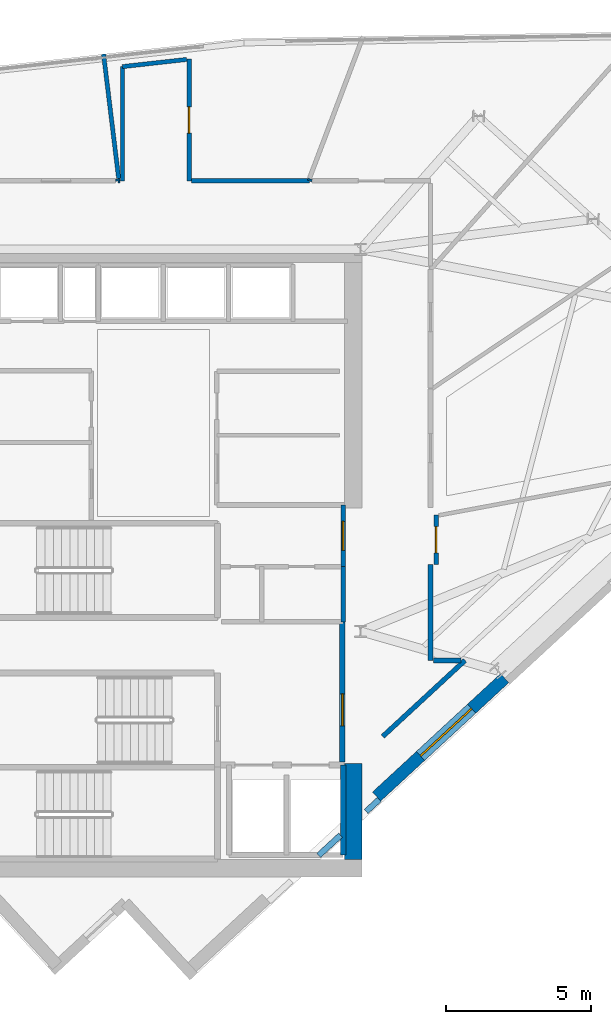
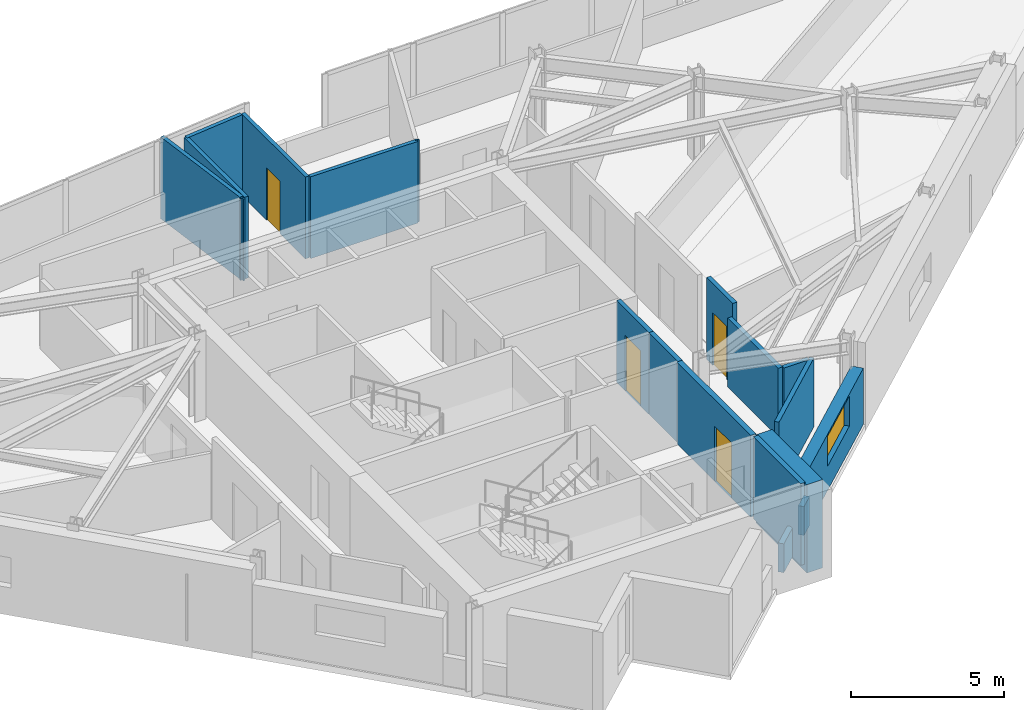
# One storey, part 11 of 14: 20 walls, 4 doors, 1 window, 5 openings.
"""IFC4 building model written with IfcOpenShell, lengths in metres."""

from ifc_helpers import new_model, si_unit, direction, frame, frame_2d, origin, place, context, subcontext, project, spatial, rectangle, extrude, material, layer, layer_set, type_object, element, fill, save


model = new_model("IFC4")

# Units and contexts
model_context = context("Model", 3, precision=1e-05, world=origin(), true_north=direction((0.0, 1.0)))
body_context = subcontext(model_context, "Body", "Model", "MODEL_VIEW")
ifc_project = project(units=[si_unit("LENGTHUNIT", "METRE"), si_unit("AREAUNIT", "SQUARE_METRE"), si_unit("VOLUMEUNIT", "CUBIC_METRE"), si_unit("PLANEANGLEUNIT", "RADIAN"), si_unit("MASSUNIT", "GRAM", prefix="KILO")], contexts=[model_context])

# Site, building, storey
site_placement = place(None, origin())
site = spatial("IfcSite", under=ifc_project, at=site_placement, CompositionType="ELEMENT")
building_placement = place(site_placement, origin())
building = spatial("IfcBuilding", under=site, at=building_placement, Name="Narakoshi Arena Tower", CompositionType="ELEMENT")
storey_placement = place(building_placement, frame((0.0, 0.0, 288.89990234375)))
storey = spatial("IfcBuildingStorey", under=building, at=storey_placement, Name="L79", CompositionType="ELEMENT", Elevation=288.89990234375)

# Wall
ifc_material_1 = material(Name="Concrete C50/60", Category="concrete")
ifc_layer_1 = layer(ifc_material_1, 0.60009765625)
ifc_layer_set_1 = layer_set([ifc_layer_1], Name="Concrete C50/60")
wall_type_1 = type_object("IfcWallType", Name="WL-CORE-600", PredefinedType="SHEAR", material=ifc_layer_set_1)
wall_1_placement = place(storey_placement, frame((85.300048828125, 35.5, -0.260009765625), z_axis=(0.0, 0.0, 1.0), x_axis=(0.0, 1.0, 0.0)))
element("IfcWall", 1, at=wall_1_placement, inside=storey, type_object=wall_type_1, Name="L79 Central Core Shear Wall CW-APX-E", PredefinedType="SHEAR", context=body_context, shape_type="SweptSolid", body=[
    extrude(rectangle(XDim=3.300048828125, YDim=0.60009765625, at=frame_2d((1.64990234375, 0.0))), origin(), (0.0, 0.0, 1.0), 3.52001953125),
])

# Wall, opening, door
ifc_material_2 = material(Name="Gypsum plasterboard fire-rated partition")
ifc_layer_2 = layer(ifc_material_2, 0.1650390625)
ifc_layer_set_2 = layer_set([ifc_layer_2], Name="Gypsum plasterboard fire-rated partition")
wall_type_2 = type_object("IfcWallType", Name="WL-CORR-165", PredefinedType="PARTITIONING", material=ifc_layer_set_2)
wall_2_placement = place(storey_placement, frame((84.949951171875, 45.580078125, 0.0), z_axis=(0.0, 0.0, 1.0), x_axis=(0.0, 1.0, 0.0)))
wall_2 = element("IfcWall", 2, at=wall_2_placement, inside=storey, type_object=wall_type_2, Name="L79 Core Wall CPAS-E", PredefinedType="PARTITIONING", context=body_context, shape_type="SweptSolid", body=[
    extrude(rectangle(XDim=2.119873046875, YDim=0.1650390625, at=frame_2d((1.06005859375, 0.0))), origin(), (0.0, 0.0, 1.0), 3.260009765625),
])
opening_1_placement = place(wall_2_placement, frame((0.56005859375, 0.0, 0.0)))
opening_1 = element("IfcOpeningElement", 3, at=opening_1_placement, cuts=wall_2, Name="Opening D-06", PredefinedType="OPENING", context=body_context, shape_type="SweptSolid", body=[
    extrude(rectangle(XDim=1.0, YDim=2.199951171875, at=frame_2d((0.5, 1.10009765625))), frame((0.0, 0.092529296875, 0.0), z_axis=(0.0, -1.0, 0.0), x_axis=(1.0, 0.0, 0.0)), (0.0, 0.0, 1.0), 0.18505859375),
])
ifc_material_3 = material(Name="Stained oak solid-core timber", Category="wood")
door_type_1 = type_object("IfcDoorType", Name="DR-OFF-1000", OperationType="NOTDEFINED", PredefinedType="DOOR", material=ifc_material_3)
door_1_placement = place(opening_1_placement, frame((1.0, 0.0, 0.0), z_axis=(0.0, 0.0, 1.0), x_axis=(-1.0, 0.0, 0.0)))
door_1 = element("IfcDoor", 4, at=door_1_placement, inside=storey, type_object=door_type_1, Name="DR-L79-007", OperationType="SINGLE_SWING_LEFT", OverallHeight=2.199951171875, OverallWidth=1.0, PredefinedType="DOOR", context=body_context, shape_type="SweptSolid", body=[
    extrude(rectangle(XDim=1.0, YDim=2.199951171875, at=frame_2d((0.5, 1.10009765625))), frame((0.0, 0.02490234375, 0.0), z_axis=(0.0, -1.0, 0.0), x_axis=(1.0, 0.0, 0.0)), (0.0, 0.0, 1.0), 0.050048828125),
])
fill(opening_1, door_1)

# Walls
wall_3_placement = place(storey_placement, frame((86.313232421875, 39.734619140625, 0.0), z_axis=(0.0, 0.0, 1.0), x_axis=(0.734314973722, 0.678808897531, 0.0)))
element("IfcWall", 5, at=wall_3_placement, inside=storey, type_object=wall_type_2, Name="L79 Corridor Partition 02-1", PredefinedType="PARTITIONING", context=body_context, shape_type="SweptSolid", body=[
    extrude(rectangle(XDim=3.85302734375, YDim=0.1650390625, at=frame_2d((1.926513671875, 0.0))), origin(), (0.0, 0.0, 1.0), 2.7451171875),
])
wall_4_placement = place(storey_placement, frame((87.95849609375, 42.35009765625, 0.0), z_axis=(0.0, 0.0, 1.0), x_axis=(0.0, 1.0, 0.0)))
element("IfcWall", 6, at=wall_4_placement, inside=storey, type_object=wall_type_2, Name="L79 Corridor Partition 02-2", PredefinedType="PARTITIONING", context=body_context, shape_type="SweptSolid", body=[
    extrude(rectangle(XDim=3.2998046875, YDim=0.1650390625, at=frame_2d((1.64990234375, 0.0))), origin(), (0.0, 0.0, 1.0), 2.7451171875),
])

# Wall, opening, door
wall_5_placement = place(storey_placement, frame((88.14990234375, 45.64990234375, 0.0), z_axis=(0.0, 0.0, 1.0), x_axis=(0.0, 1.0, 0.0)))
wall_5 = element("IfcWall", 7, at=wall_5_placement, inside=storey, type_object=wall_type_2, Name="L79 Corridor Partition 02-3", PredefinedType="PARTITIONING", context=body_context, shape_type="SweptSolid", body=[
    extrude(rectangle(XDim=1.712890625, YDim=0.1650390625, at=frame_2d((0.8564453125, 0.0))), origin(), (0.0, 0.0, 1.0), 3.260009765625),
])
opening_2_placement = place(wall_5_placement, frame((0.406494140625, 0.0, 0.0)))
opening_2 = element("IfcOpeningElement", 8, at=opening_2_placement, cuts=wall_5, Name="Opening D-08", PredefinedType="OPENING", context=body_context, shape_type="SweptSolid", body=[
    extrude(rectangle(XDim=0.89990234375, YDim=2.10009765625, at=frame_2d((0.449951171875, 1.050048828125))), frame((0.0, 0.092529296875, 0.0), z_axis=(0.0, -1.0, 0.0), x_axis=(1.0, 0.0, 0.0)), (0.0, 0.0, 1.0), 0.18505859375),
])
ifc_material_4 = material(Name="Moisture-resistant laminate timber", Category="wood")
door_type_2 = type_object("IfcDoorType", Name="DR-WC-900", OperationType="NOTDEFINED", PredefinedType="DOOR", material=ifc_material_4)
door_2_placement = place(opening_2_placement, frame((0.89990234375, 0.0, 0.0), z_axis=(0.0, 0.0, 1.0), x_axis=(-1.0, 0.0, 0.0)))
door_2 = element("IfcDoor", 9, at=door_2_placement, inside=storey, type_object=door_type_2, Name="DR-L79-017", OperationType="SINGLE_SWING_RIGHT", OverallHeight=2.10009765625, OverallWidth=0.89990234375, PredefinedType="DOOR", context=body_context, shape_type="SweptSolid", body=[
    extrude(rectangle(XDim=0.89990234375, YDim=2.10009765625, at=frame_2d((0.449951171875, 1.050048828125))), frame((0.0, 0.02490234375, 0.0), z_axis=(0.0, -1.0, 0.0), x_axis=(1.0, 0.0, 0.0)), (0.0, 0.0, 1.0), 0.050048828125),
])
fill(opening_2, door_2)

# Walls
wall_6_placement = place(storey_placement, frame((89.00341796875, 42.35009765625, 0.0), z_axis=(0.0, 0.0, 1.0), x_axis=(-1.0, 0.0, 0.0)))
element("IfcWall", 10, at=wall_6_placement, inside=storey, type_object=wall_type_2, Name="L79 Corridor Partition 02-4", PredefinedType="PARTITIONING", context=body_context, shape_type="SweptSolid", body=[
    extrude(rectangle(XDim=0.950439453125, YDim=0.1650390625, at=frame_2d((0.47509765625, 0.0))), origin(), (0.0, 0.0, 1.0), 2.7451171875),
])
ifc_material_5 = material(Name="Precast concrete C45/55", Category="concrete")
ifc_layer_3 = layer(ifc_material_5, 0.25)
ifc_layer_set_3 = layer_set([ifc_layer_3], Name="Precast concrete C45/55")
wall_type_3 = type_object("IfcWallType", Name="WL-PARA-250", PredefinedType="PARAPET", material=ifc_layer_set_3)
wall_7_placement = place(storey_placement, frame((86.191650390625, 37.56591796875, 0.0), z_axis=(0.0, 0.0, 1.0), x_axis=(-0.734346728958, -0.678774544064, 0.0)))
element("IfcWall", 11, at=wall_7_placement, inside=storey, type_object=wall_type_3, Name="L79 Crown Sill Upstand Parapet 03", PredefinedType="PARAPET", context=body_context, shape_type="SweptSolid", body=[
    extrude(rectangle(XDim=0.614990234375, YDim=0.199951171875, at=frame_2d((0.3076171875, 0.0))), origin(), (0.0, 0.0, 1.0), 1.150146484375),
])
wall_8_placement = place(storey_placement, frame((84.860107421875, 36.3349609375, 0.0), z_axis=(0.0, 0.0, 1.0), x_axis=(-0.734337093013, -0.678784968768, 0.0)))
element("IfcWall", 12, at=wall_8_placement, inside=storey, type_object=wall_type_3, Name="L79 Crown Sill Upstand Parapet 04", PredefinedType="PARAPET", context=body_context, shape_type="SweptSolid", body=[
    extrude(rectangle(XDim=1.02392578125, YDim=0.199951171875, at=frame_2d((0.511962890625, 0.0))), origin(), (0.0, 0.0, 1.0), 1.150146484375),
])

# Wall, opening, window
ifc_layer_4 = layer(ifc_material_5, 0.419921875)
ifc_layer_set_4 = layer_set([ifc_layer_4], Name="Precast concrete C45/55")
wall_type_4 = type_object("IfcWallType", Name="WL-POD-420", PredefinedType="SOLIDWALL", material=ifc_layer_set_4)
wall_9_placement = place(storey_placement, frame((86.10009765625, 37.6650390625, 0.0), z_axis=(0.0, 0.0, 1.0), x_axis=(0.734321413343, 0.678801931277, 0.0)))
wall_9 = element("IfcWall", 13, at=wall_9_placement, inside=storey, type_object=wall_type_4, Name="L79 Architectural Concrete Facade Wall LEGA-2", PredefinedType="SOLIDWALL", context=body_context, shape_type="SweptSolid", body=[
    extrude(rectangle(XDim=6.00244140625, YDim=0.419921875, at=frame_2d((3.001220703125, 0.0))), origin(), (0.0, 0.0, 1.0), 2.2451171875),
])
opening_3_placement = place(wall_9_placement, frame((2.05712890625, 0.0, 0.965087890625)))
opening_3 = element("IfcOpeningElement", 14, at=opening_3_placement, cuts=wall_9, Name="Opening WN-04", PredefinedType="OPENING", context=body_context, shape_type="SweptSolid", body=[
    extrude(rectangle(XDim=2.39990234375, YDim=1.199951171875, at=frame_2d((1.199951171875, 0.60009765625))), frame((0.0, 0.219970703125, 0.0), z_axis=(0.0, -1.0, 0.0), x_axis=(1.0, 0.0, 0.0)), (0.0, 0.0, 1.0), 0.43994140625),
])
ifc_material_6 = material(Name="Bronze-tinted low-E laminated glass", Category="glass")
window_type = type_object("IfcWindowType", Name="WIN-SLT-24x12", PartitioningType="SINGLE_PANEL", PredefinedType="WINDOW", material=ifc_material_6)
window_placement = place(opening_3_placement, origin())
window = element("IfcWindow", 15, at=window_placement, inside=storey, type_object=window_type, Name="L79 LEGA2 Horizontal Slot Window 1", OverallHeight=1.199951171875, OverallWidth=2.39990234375, PartitioningType="SINGLE_PANEL", PredefinedType="WINDOW", context=body_context, shape_type="SweptSolid", body=[
    extrude(rectangle(XDim=2.39990234375, YDim=1.199951171875, at=frame_2d((1.199951171875, 0.60009765625))), frame((0.0, 0.030029296875, 0.0), z_axis=(0.0, -1.0, 0.0), x_axis=(1.0, 0.0, 0.0)), (0.0, 0.0, 1.0), 0.06005859375),
])
fill(opening_3, window)

# Walls
ifc_material_7 = material(Name="Concrete C40/50", Category="concrete")
ifc_layer_5 = layer(ifc_material_7, 0.280029296875)
ifc_layer_set_5 = layer_set([ifc_layer_5], Name="Concrete C40/50")
wall_type_5 = type_object("IfcWallType", Name="WL-RISER-280", PredefinedType="PLUMBINGWALL", material=ifc_layer_set_5)
wall_10_placement = place(storey_placement, frame((84.949951171875, 43.679931640625, 0.0), z_axis=(0.0, 0.0, 1.0), x_axis=(0.0, 1.0, 0.0)))
element("IfcWall", 16, at=wall_10_placement, inside=storey, type_object=wall_type_5, Name="L79 Core Wall RSR-E", PredefinedType="PLUMBINGWALL", context=body_context, shape_type="SweptSolid", body=[
    extrude(rectangle(XDim=1.900146484375, YDim=0.1650390625, at=frame_2d((0.9501953125, 0.0))), origin(), (0.0, 0.0, 1.0), 3.260009765625),
])
ifc_layer_6 = layer(ifc_material_1, 0.35009765625)
ifc_layer_set_6 = layer_set([ifc_layer_6], Name="Concrete C50/60")
wall_type_6 = type_object("IfcWallType", Name="WL-SHAFT-350", PredefinedType="SOLIDWALL", material=ifc_layer_set_6)
wall_11_placement = place(storey_placement, frame((84.949951171875, 35.64990234375, 0.0), z_axis=(0.0, 0.0, 1.0), x_axis=(0.0, 1.0, 0.0)))
element("IfcWall", 17, at=wall_11_placement, inside=storey, type_object=wall_type_6, Name="L79 Core Wall FF-E", PredefinedType="SOLIDWALL", context=body_context, shape_type="SweptSolid", body=[
    extrude(rectangle(XDim=3.10009765625, YDim=0.179931640625, at=frame_2d((1.550048828125, 0.0))), origin(), (0.0, 0.0, 1.0), 3.260009765625),
])

# Wall, opening, door
wall_12_placement = place(storey_placement, frame((84.919921875, 38.85009765625, 0.0), z_axis=(0.0, 0.0, 1.0), x_axis=(0.0, 1.0, 0.0)))
wall_12 = element("IfcWall", 18, at=wall_12_placement, inside=storey, type_object=wall_type_6, Name="L79 Core Wall FFLOB-E", PredefinedType="SOLIDWALL", context=body_context, shape_type="SweptSolid", body=[
    extrude(rectangle(XDim=4.829833984375, YDim=0.199951171875, at=frame_2d((2.4150390625, 0.0))), origin(), (0.0, 0.0, 1.0), 3.260009765625),
])
opening_4_placement = place(wall_12_placement, frame((1.25, 0.0, 0.0)))
opening_4 = element("IfcOpeningElement", 19, at=opening_4_placement, cuts=wall_12, Name="Opening D-04", PredefinedType="OPENING", context=body_context, shape_type="SweptSolid", body=[
    extrude(rectangle(XDim=1.10009765625, YDim=2.199951171875, at=frame_2d((0.550048828125, 1.10009765625))), frame((0.0, 0.10986328125, 0.0), z_axis=(0.0, -1.0, 0.0), x_axis=(1.0, 0.0, 0.0)), (0.0, 0.0, 1.0), 0.219970703125),
])
ifc_material_8 = material(Name="Painted galvanized steel", Category="steel")
door_type_3 = type_object("IfcDoorType", Name="DR-FFL-1100", OperationType="NOTDEFINED", PredefinedType="DOOR", material=ifc_material_8)
door_3_placement = place(opening_4_placement, frame((1.10009765625, 0.0, 0.0), z_axis=(0.0, 0.0, 1.0), x_axis=(-1.0, 0.0, 0.0)))
door_3 = element("IfcDoor", 20, at=door_3_placement, inside=storey, type_object=door_type_3, Name="DR-L79-005", OperationType="SINGLE_SWING_RIGHT", OverallHeight=2.199951171875, OverallWidth=1.10009765625, PredefinedType="DOOR", context=body_context, shape_type="SweptSolid", body=[
    extrude(rectangle(XDim=1.10009765625, YDim=2.199951171875, at=frame_2d((0.550048828125, 1.10009765625))), frame((0.0, 0.02490234375, 0.0), z_axis=(0.0, -1.0, 0.0), x_axis=(1.0, 0.0, 0.0)), (0.0, 0.0, 1.0), 0.050048828125),
])
fill(opening_4, door_3)

ifc_material_9 = material(Name="Moisture-resistant cement-board partition")
ifc_layer_7 = layer(ifc_material_9, 0.14501953125)
ifc_layer_set_7 = layer_set([ifc_layer_7], Name="Moisture-resistant cement-board partition")
wall_type_7 = type_object("IfcWallType", Name="WL-WET-145", PredefinedType="PARTITIONING", material=ifc_layer_set_7)
wall_13_placement = place(storey_placement, frame((79.64990234375, 58.8583984375, 0.0), z_axis=(0.0, 0.0, 1.0), x_axis=(0.0, 1.0, 0.0)))
wall_13 = element("IfcWall", 21, at=wall_13_placement, inside=storey, type_object=wall_type_7, Name="L79 Corridor Partition 05-1", PredefinedType="PARTITIONING", context=body_context, shape_type="SweptSolid", body=[
    extrude(rectangle(XDim=4.189453125, YDim=0.14501953125, at=frame_2d((2.0947265625, 0.0))), origin(), (0.0, 0.0, 1.0), 3.260009765625),
])
opening_5_placement = place(wall_13_placement, frame((1.644775390625, 0.0, 0.0)))
opening_5 = element("IfcOpeningElement", 22, at=opening_5_placement, cuts=wall_13, Name="Opening D-08", PredefinedType="OPENING", context=body_context, shape_type="SweptSolid", body=[
    extrude(rectangle(XDim=0.89990234375, YDim=2.10009765625, at=frame_2d((0.449951171875, 1.050048828125))), frame((0.0, 0.08251953125, 0.0), z_axis=(0.0, -1.0, 0.0), x_axis=(1.0, 0.0, 0.0)), (0.0, 0.0, 1.0), 0.1650390625),
])
door_4_placement = place(opening_5_placement, frame((0.89990234375, 0.0, 0.0), z_axis=(0.0, 0.0, 1.0), x_axis=(-1.0, 0.0, 0.0)))
door_4 = element("IfcDoor", 23, at=door_4_placement, inside=storey, type_object=door_type_2, Name="DR-L79-020", OperationType="SINGLE_SWING_RIGHT", OverallHeight=2.10009765625, OverallWidth=0.89990234375, PredefinedType="DOOR", context=body_context, shape_type="SweptSolid", body=[
    extrude(rectangle(XDim=0.89990234375, YDim=2.10009765625, at=frame_2d((0.449951171875, 1.050048828125))), frame((0.0, 0.02490234375, 0.0), z_axis=(0.0, -1.0, 0.0), x_axis=(1.0, 0.0, 0.0)), (0.0, 0.0, 1.0), 0.050048828125),
])
fill(opening_5, door_4)

# Walls
wall_14_placement = place(storey_placement, frame((83.79150390625, 58.8583984375, 0.0), z_axis=(0.0, 0.0, 1.0), x_axis=(-1.0, 0.0, 0.0)))
element("IfcWall", 24, at=wall_14_placement, inside=storey, type_object=wall_type_7, Name="L79 Corridor Partition 05-2", PredefinedType="PARTITIONING", context=body_context, shape_type="SweptSolid", body=[
    extrude(rectangle(XDim=4.056884765625, YDim=0.14501953125, at=frame_2d((2.0283203125, 0.0))), origin(), (0.0, 0.0, 1.0), 3.260009765625),
])
wall_15_placement = place(storey_placement, frame((77.35009765625, 62.7900390625, 0.0), z_axis=(0.0, 0.0, 1.0), x_axis=(0.0, -1.0, 0.0)))
element("IfcWall", 25, at=wall_15_placement, inside=storey, type_object=wall_type_7, Name="L79 Corridor Partition 05-3", PredefinedType="PARTITIONING", context=body_context, shape_type="SweptSolid", body=[
    extrude(rectangle(XDim=3.931640625, YDim=0.14501953125, at=frame_2d((1.9658203125, 0.0))), origin(), (0.0, 0.0, 1.0), 3.260009765625),
])
wall_16_placement = place(storey_placement, frame((79.5654296875, 63.038330078125, 0.0), z_axis=(0.0, 0.0, 1.0), x_axis=(-0.993777768559, -0.111381087792, 0.0)))
element("IfcWall", 26, at=wall_16_placement, inside=storey, type_object=wall_type_7, Name="L79 Corridor Partition 05-4", PredefinedType="PARTITIONING", context=body_context, shape_type="SweptSolid", body=[
    extrude(rectangle(XDim=2.229248046875, YDim=0.14501953125, at=frame_2d((1.11474609375, 0.0))), origin(), (0.0, 0.0, 1.0), 3.260009765625),
])
wall_17_placement = place(storey_placement, frame((77.265380859375, 58.8583984375, 0.0), z_axis=(0.0, 0.0, 1.0), x_axis=(-1.0, 0.0, 0.0)))
element("IfcWall", 27, at=wall_17_placement, inside=storey, type_object=wall_type_7, Name="L79 Corridor Partition 05-5", PredefinedType="PARTITIONING", context=body_context, shape_type="SweptSolid", body=[
    extrude(rectangle(XDim=0.069580078125, YDim=0.14501953125, at=frame_2d((0.03466796875, 0.0))), origin(), (0.0, 0.0, 1.0), 3.260009765625),
])
wall_18_placement = place(storey_placement, frame((83.81396484375, 58.91845703125, 0.0), z_axis=(0.0, 0.0, 1.0), x_axis=(-0.350288784478, -0.9366417498, 0.0)))
element("IfcWall", 28, at=wall_18_placement, inside=storey, type_object=wall_type_7, Name="L79 Corridor Partition 05-6", PredefinedType="PARTITIONING", context=body_context, shape_type="SweptSolid", body=[
    extrude(rectangle(XDim=0.064208984375, YDim=0.14501953125, at=frame_2d((0.0322265625, 0.0))), origin(), (0.0, 0.0, 1.0), 3.260009765625),
])
wall_19_placement = place(storey_placement, frame((77.19580078125, 58.8583984375, 0.0), z_axis=(0.0, 0.0, 1.0), x_axis=(-0.117075477944, 0.993123019804, 0.0)))
element("IfcWall", 29, at=wall_19_placement, inside=storey, type_object=wall_type_7, Name="L79 Corridor Partition 05-7", PredefinedType="PARTITIONING", context=body_context, shape_type="SweptSolid", body=[
    extrude(rectangle(XDim=0.060546875, YDim=0.14501953125, at=frame_2d((0.0302734375, 0.0))), origin(), (0.0, 0.0, 1.0), 3.260009765625),
])
wall_20_placement = place(storey_placement, frame((77.221435546875, 58.94287109375, 0.0), z_axis=(0.0, 0.0, 1.0), x_axis=(-0.120735749013, 0.99268468252, 0.0)))
element("IfcWall", 30, at=wall_20_placement, inside=storey, type_object=wall_type_7, Name="L79 Inter-Room Partition 05-07", PredefinedType="PARTITIONING", context=body_context, shape_type="SweptSolid", body=[
    extrude(rectangle(XDim=4.30908203125, YDim=0.14501953125, at=frame_2d((2.154541015625, 0.0))), origin(), (0.0, 0.0, 1.0), 3.260009765625),
])

save(model, "model.ifc")
